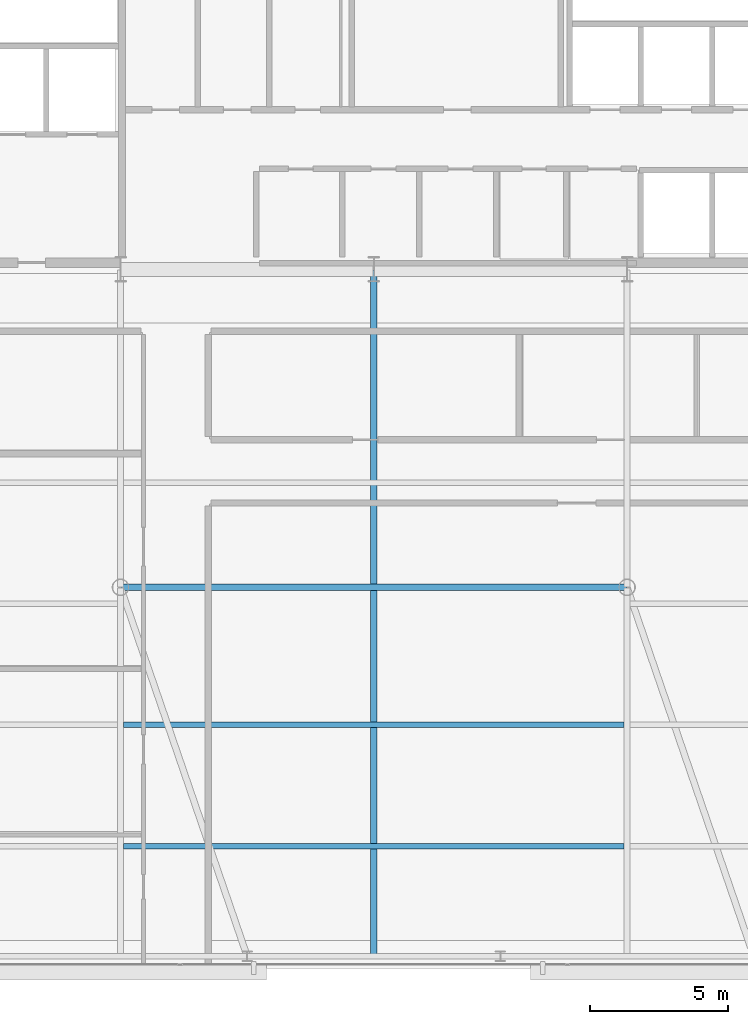
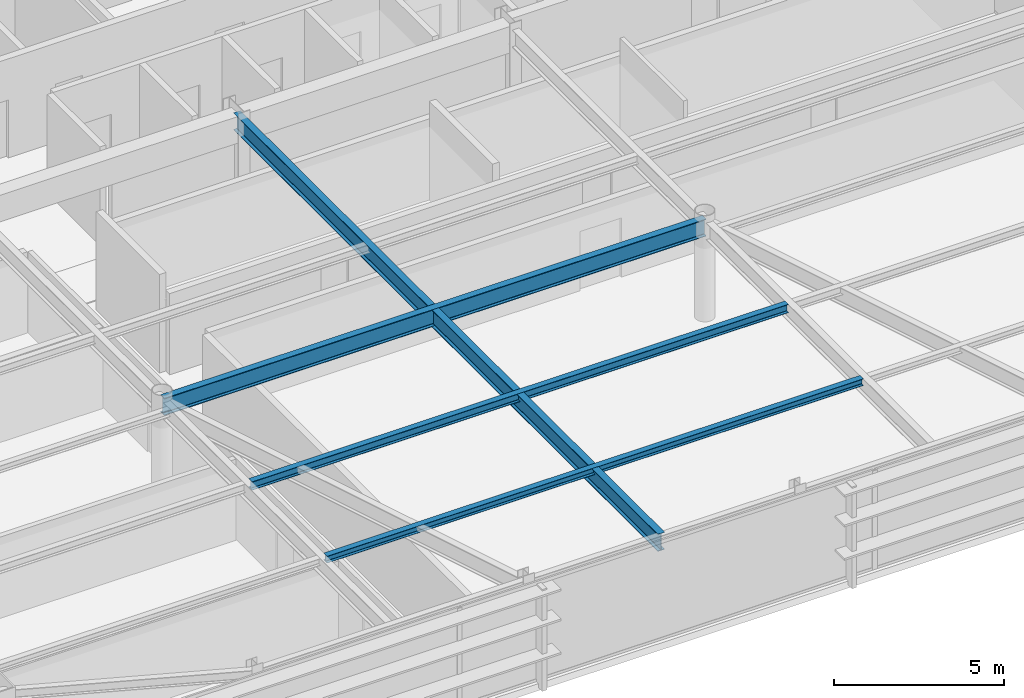
# One storey, part 8 of 26: 4 beams.
"""IFC4 building model written with IfcOpenShell, lengths in metres."""

from ifc_helpers import new_model, si_unit, direction, frame, origin, origin_2d, place, context, subcontext, project, spatial, i_section, extrude, source, transform, mapped, material, material_profile, profile_set, type_object, type_shapes, element, save


model = new_model("IFC4")

# Units and contexts
model_context = context("Model", 3, precision=1e-05, world=origin(), true_north=direction((0.0, 1.0)))
body_context = subcontext(model_context, "Body", "Model", "MODEL_VIEW")
ifc_project = project(units=[si_unit("LENGTHUNIT", "METRE"), si_unit("AREAUNIT", "SQUARE_METRE"), si_unit("VOLUMEUNIT", "CUBIC_METRE"), si_unit("PLANEANGLEUNIT", "RADIAN"), si_unit("MASSUNIT", "GRAM", prefix="KILO")], contexts=[model_context])

# Site, building, storey
site_placement = place(None, origin())
site = spatial("IfcSite", under=ifc_project, at=site_placement, CompositionType="ELEMENT")
building_placement = place(site_placement, origin())
building = spatial("IfcBuilding", under=site, at=building_placement, Name="Varnel Quay Broadcast Tower", CompositionType="ELEMENT")
storey_placement = place(building_placement, frame((0.0, 0.0, 218.800048828125)))
storey = spatial("IfcBuildingStorey", under=building, at=storey_placement, Name="L54", CompositionType="ELEMENT", Elevation=218.800048828125)

# Beams
ifc_material = material(Name="Structural Steel CSA G40.21 350W", Category="steel")
ifc_material_profile_1 = material_profile(ifc_material, i_section(OverallWidth=0.22998046875, OverallDepth=0.616943359375, WebThickness=0.01318359375, FlangeThickness=0.022216796875, FilletRadius=0.01611328125, at=origin_2d()), Name="W610X140")
ifc_profile_set_1 = profile_set([ifc_material_profile_1], Name="Structural Steel CSA G40.21 350W")
beam_type_1 = type_object("IfcBeamType", Name="Girder_W610X140", PredefinedType="BEAM", material=ifc_profile_set_1)
shared_shape_1 = source(origin(), body_context, "Body", "SweptSolid", [
    extrude(i_section(OverallWidth=0.22998046875, OverallDepth=0.616943359375, WebThickness=0.01318359375, FlangeThickness=0.022216796875, FilletRadius=0.01611328125, at=origin_2d()), origin(), (0.0, 0.0, 1.0), 18.35986328125),
])
beam_1_placement = place(storey_placement, frame((24.820068359375, 24.050048828125, 3.241455078125), z_axis=(1.0, 0.0, 0.0), x_axis=(0.0, 1.0, 0.0)))
element("IfcBeam", 1, at=beam_1_placement, inside=storey, type_object=beam_type_1, Name="L54 Interior Spine Girder", PredefinedType="BEAM", context=body_context, shape_type="MappedRepresentation", body=[
    mapped(shared_shape_1, transform((0.0, 0.0, 0.0), x_axis=(1.0, 0.0, 0.0), y_axis=(0.0, 1.0, 0.0), z_axis=(0.0, 0.0, 1.0), scale=1.0)),
])
shared_shape_2 = source(origin(), body_context, "Body", "SweptSolid", [
    extrude(i_section(OverallWidth=0.22998046875, OverallDepth=0.616943359375, WebThickness=0.01318359375, FlangeThickness=0.022216796875, FilletRadius=0.01611328125, at=origin_2d()), origin(), (0.0, 0.0, 1.0), 24.91015625),
])
type_shapes(beam_type_1, [shared_shape_1, shared_shape_2])
beam_2_placement = place(storey_placement, frame((34.0, 10.669921875, 3.241455078125), z_axis=(0.0, 1.0, 0.0), x_axis=(-1.0, 0.0, 0.0)))
element("IfcBeam", 2, at=beam_2_placement, inside=storey, type_object=beam_type_1, Name="L54 Central Bay Girder", PredefinedType="BEAM", context=body_context, shape_type="MappedRepresentation", body=[
    mapped(shared_shape_2, transform((0.0, 0.0, 0.0), x_axis=(1.0, 0.0, 0.0), y_axis=(0.0, 1.0, 0.0), z_axis=(0.0, 0.0, 1.0), scale=1.0)),
])
ifc_material_profile_2 = material_profile(ifc_material, i_section(OverallWidth=0.201904296875, OverallDepth=0.2470703125, WebThickness=0.00732421875, FlangeThickness=0.010986328125, FilletRadius=0.010986328125, at=origin_2d()), Name="W250X49")
ifc_profile_set_2 = profile_set([ifc_material_profile_2], Name="Structural Steel CSA G40.21 350W")
beam_type_2 = type_object("IfcBeamType", Name="Beam_W250X49", PredefinedType="JOIST", material=ifc_profile_set_2)
shared_shape_3 = source(origin(), body_context, "Body", "SweptSolid", [
    extrude(i_section(OverallWidth=0.201904296875, OverallDepth=0.2470703125, WebThickness=0.00732421875, FlangeThickness=0.010986328125, FilletRadius=0.010986328125, at=origin_2d()), origin(), (0.0, 0.0, 1.0), 18.18017578125),
])
type_shapes(beam_type_2, [shared_shape_3])
beam_3_placement = place(storey_placement, frame((24.909912109375, 14.64990234375, 3.426513671875), z_axis=(1.0, 0.0, 0.0), x_axis=(0.0, 1.0, 0.0)))
element("IfcBeam", 3, at=beam_3_placement, inside=storey, type_object=beam_type_2, Name="L54 Central Floor Joist 1", PredefinedType="JOIST", context=body_context, shape_type="MappedRepresentation", body=[
    mapped(shared_shape_3, transform((0.0, 0.0, 0.0), x_axis=(1.0, 0.0, 0.0), y_axis=(0.0, 1.0, 0.0), z_axis=(0.0, 0.0, 1.0), scale=1.0)),
])
ifc_material_profile_3 = material_profile(ifc_material, i_section(OverallWidth=0.202880859375, OverallDepth=0.302978515625, WebThickness=0.007568359375, FlangeThickness=0.01318359375, FilletRadius=0.011962890625, at=origin_2d()), Name="W310X60")
ifc_profile_set_3 = profile_set([ifc_material_profile_3], Name="Structural Steel CSA G40.21 350W")
beam_type_3 = type_object("IfcBeamType", Name="Beam_W310X60", PredefinedType="JOIST", material=ifc_profile_set_3)
shared_shape_4 = source(origin(), body_context, "Body", "SweptSolid", [
    extrude(i_section(OverallWidth=0.202880859375, OverallDepth=0.302978515625, WebThickness=0.007568359375, FlangeThickness=0.01318359375, FilletRadius=0.011962890625, at=origin_2d()), origin(), (0.0, 0.0, 1.0), 18.18017578125),
])
type_shapes(beam_type_3, [shared_shape_4])
beam_4_placement = place(storey_placement, frame((24.909912109375, 19.050048828125, 3.3984375), z_axis=(1.0, 0.0, 0.0), x_axis=(0.0, 1.0, 0.0)))
element("IfcBeam", 4, at=beam_4_placement, inside=storey, type_object=beam_type_3, Name="L54 Central Floor Joist 2", PredefinedType="JOIST", context=body_context, shape_type="MappedRepresentation", body=[
    mapped(shared_shape_4, transform((0.0, 0.0, 0.0), x_axis=(1.0, 0.0, 0.0), y_axis=(0.0, 1.0, 0.0), z_axis=(0.0, 0.0, 1.0), scale=1.0)),
])

save(model, "model.ifc")
